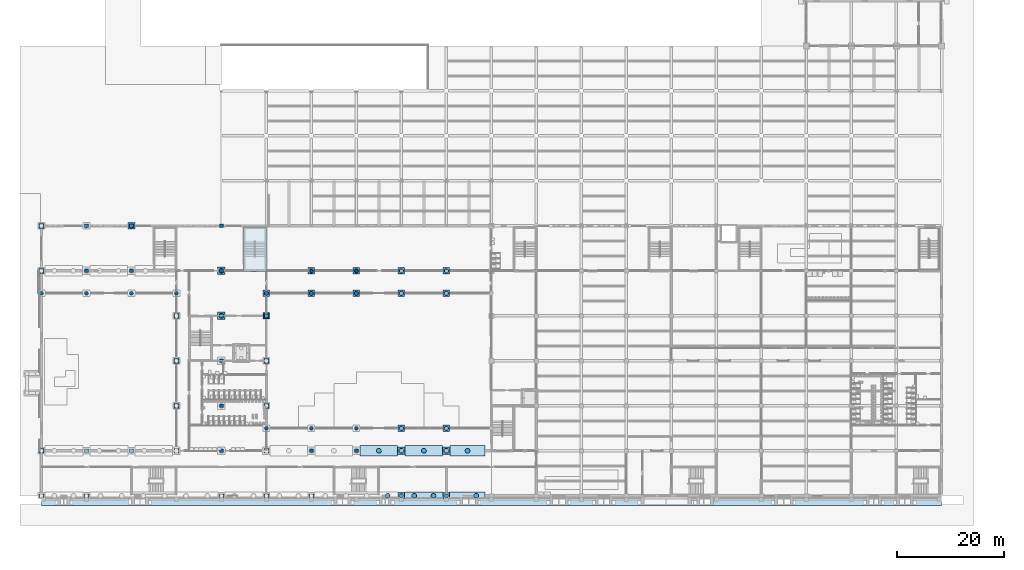
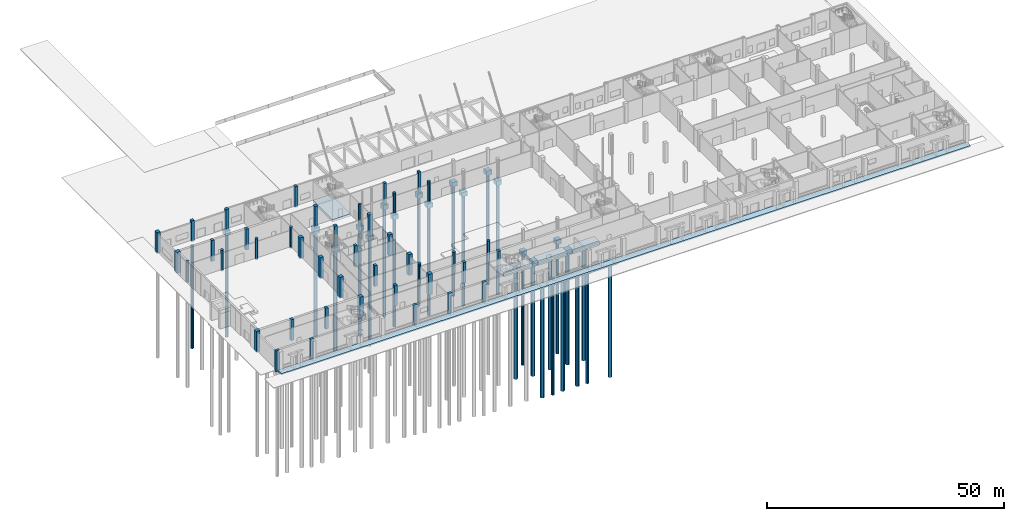
# One storey, part 2 of 74: 42 columns, 27 piles, 26 footings.
"""IFC4 building model written with IfcOpenShell, lengths in metres."""

from ifc_helpers import new_model, si_unit, direction, frame, origin, origin_2d, place, context, subcontext, project, spatial, polyline, rectangle, circle, outline, extrude, material, layer, layer_set, material_profile, profile_set, type_object, element, save


model = new_model("IFC4")

# Units and contexts
model_context = context("Model", 3, precision=1e-05, world=origin(), true_north=direction((0.0, 1.0)))
body_context = subcontext(model_context, "Body", "Model", "MODEL_VIEW")
ifc_project = project(units=[si_unit("LENGTHUNIT", "METRE"), si_unit("AREAUNIT", "SQUARE_METRE"), si_unit("VOLUMEUNIT", "CUBIC_METRE"), si_unit("PLANEANGLEUNIT", "RADIAN"), si_unit("MASSUNIT", "GRAM", prefix="KILO")], contexts=[model_context])

# Site, building, storey
site_placement = place(None, origin())
site = spatial("IfcSite", under=ifc_project, at=site_placement, CompositionType="ELEMENT")
building_placement = place(site_placement, origin())
building = spatial("IfcBuilding", under=site, at=building_placement, Name="Rulbaag Community and Learning Centre", CompositionType="ELEMENT")
storey_placement = place(building_placement, origin())
storey = spatial("IfcBuildingStorey", under=building, at=storey_placement, Name="L00", CompositionType="ELEMENT", Elevation=0.0)

# Footings
ifc_material_1 = material(Name="Concrete M40", Category="concrete")
ifc_layer_1 = layer(ifc_material_1, 0.300048828125)
ifc_layer_set_1 = layer_set([ifc_layer_1], Name="FT1 Rail-side strip footing 300 Concrete M40")
footing_type_1 = type_object("IfcFootingType", Name="FT1 Rail-side strip footing 300 Concrete M40", PredefinedType="STRIP_FOOTING", material=ifc_layer_set_1)
footing_1_placement = place(storey_placement, frame((0.0, 0.0, -0.300048828125)))
element("IfcFooting", 1, at=footing_1_placement, inside=storey, type_object=footing_type_1, Name="Rail-side strip footing", PredefinedType="STRIP_FOOTING", context=body_context, shape_type="SweptSolid", body=[
    extrude(outline(polyline([(0.0, -0.199951171875), (168.0, -0.199951171875), (168.0, -1.824951171875), (0.0, -1.824951171875), (0.0, -0.199951171875)])), origin(), (0.0, 0.0, 1.0), 0.300048828125),
])
ifc_material_2 = material(Name="Concrete M35", Category="concrete")
footing_type_2 = type_object("IfcFootingType", Name="GB1 Ground beam 1500 x 1000 Concrete M35", PredefinedType="FOOTING_BEAM", material=ifc_material_2)
footing_2_placement = place(storey_placement, frame((71.39990234375, 0.0, -1.300048828125), z_axis=(0.0, 0.0, 1.0), x_axis=(1.0, 0.0, 0.0)))
element("IfcFooting", 2, at=footing_2_placement, inside=storey, type_object=footing_type_2, Name="FT-GB-RAIL-6", PredefinedType="FOOTING_BEAM", context=body_context, shape_type="SweptSolid", body=[
    extrude(rectangle(XDim=7.14990234375, YDim=1.5, at=origin_2d()), origin(), (0.0, 0.0, 1.0), 1.0),
])
footing_3_placement = place(storey_placement, frame((79.512451171875, 0.0, -1.300048828125), z_axis=(0.0, 0.0, 1.0), x_axis=(1.0, 0.0, 0.0)))
element("IfcFooting", 3, at=footing_3_placement, inside=storey, type_object=footing_type_2, Name="FT-GB-RAIL-7", PredefinedType="FOOTING_BEAM", context=body_context, shape_type="SweptSolid", body=[
    extrude(rectangle(XDim=6.574951171875, YDim=1.5, at=origin_2d()), origin(), (0.0, 0.0, 1.0), 1.0),
])
footing_type_3 = type_object("IfcFootingType", Name="GB2 Ground beam 2000 x 1200 Concrete M35", PredefinedType="FOOTING_BEAM", material=ifc_material_2)
for number, where, z_axis, x_axis, name in (
    (4, (63.0, 8.39990234375, -1.5), (0.0, 0.0, 1.0), (1.0, 0.0, 0.0), "FT-GB-XMS-3"),
    (5, (71.39990234375, 8.39990234375, -1.5), (0.0, 0.0, 1.0), (1.0, 0.0, 0.0), "FT-GB-XMS-4"),
):
    element("IfcFooting", number, at=place(storey_placement, frame(where, z_axis=z_axis, x_axis=x_axis)), inside=storey, type_object=footing_type_3, Name=name, PredefinedType="FOOTING_BEAM", context=body_context, shape_type="SweptSolid", body=[
        extrude(rectangle(XDim=7.0, YDim=2.0, at=origin_2d()), origin(), (0.0, 0.0, 1.0), 1.199951171875),
    ])
footing_4_placement = place(storey_placement, frame((79.550048828125, 8.39990234375, -1.5), z_axis=(0.0, 0.0, 1.0), x_axis=(1.0, 0.0, 0.0)))
element("IfcFooting", 6, at=footing_4_placement, inside=storey, type_object=footing_type_3, Name="FT-GB-XMS-5", PredefinedType="FOOTING_BEAM", context=body_context, shape_type="SweptSolid", body=[
    extrude(rectangle(XDim=6.5, YDim=2.0, at=origin_2d()), origin(), (0.0, 0.0, 1.0), 1.199951171875),
])

# Piles
ifc_material_profile_1 = material_profile(ifc_material_2, circle(Radius=0.375, at=origin_2d()), Name="BP750")
ifc_profile_set_1 = profile_set([ifc_material_profile_1], Name="Concrete M35")
pile_type_1 = type_object("IfcPileType", Name="P1 Bored pile 750 mm Concrete M35", PredefinedType="BORED", material=ifc_profile_set_1)
for number, where, z_axis, x_axis, name in (
    (7, (8.39990234375, 50.39990234375, -1.39990234375), (0.0, 0.0, -1.0), (1.0, 0.0, 0.0), "PL-2G-1"),
    (8, (16.800048828125, 50.39990234375, -1.39990234375), (0.0, 0.0, -1.0), (1.0, 0.0, 0.0), "PL-3G-1"),
):
    element("IfcPile", number, at=place(storey_placement, frame(where, z_axis=z_axis, x_axis=x_axis)), inside=storey, type_object=pile_type_1, Name=name, PredefinedType="BORED", context=body_context, shape_type="SweptSolid", body=[
        extrude(circle(Radius=0.375, at=origin_2d()), origin(), (0.0, 0.0, 1.0), 26.5),
    ])
pile_1_placement = place(storey_placement, frame((42.0, 33.60009765625, -1.39990234375), z_axis=(0.0, 0.0, -1.0), x_axis=(1.0, 0.0, 0.0)))
element("IfcPile", 9, at=pile_1_placement, inside=storey, type_object=pile_type_1, Name="PL-6E-1", PredefinedType="BORED", context=body_context, shape_type="SweptSolid", body=[
    extrude(circle(Radius=0.375, at=origin_2d()), origin(), (0.0, 0.0, 1.0), 27.5),
])
for number, where, z_axis, x_axis, name in (
    (10, (50.39990234375, 42.0, -1.39990234375), (0.0, 0.0, -1.0), (1.0, 0.0, 0.0), "PL-7F-1"),
    (11, (58.800048828125, 42.0, -1.39990234375), (0.0, 0.0, -1.0), (1.0, 0.0, 0.0), "PL-8F-1"),
):
    element("IfcPile", number, at=place(storey_placement, frame(where, z_axis=z_axis, x_axis=x_axis)), inside=storey, type_object=pile_type_1, Name=name, PredefinedType="BORED", context=body_context, shape_type="SweptSolid", body=[
        extrude(circle(Radius=0.375, at=origin_2d()), origin(), (0.0, 0.0, 1.0), 28.0),
    ])
for number, where, z_axis, x_axis, name in (
    (12, (67.199951171875, 0.0, -1.39990234375), (0.0, 0.0, -1.0), (1.0, 0.0, 0.0), "PL-9A-1"),
    (13, (67.199951171875, 42.0, -1.39990234375), (0.0, 0.0, -1.0), (1.0, 0.0, 0.0), "PL-9F-1"),
    (14, (75.60009765625, 0.0, -1.39990234375), (0.0, 0.0, -1.0), (1.0, 0.0, 0.0), "PL-10A-1"),
    (15, (75.60009765625, 42.0, -1.39990234375), (0.0, 0.0, -1.0), (1.0, 0.0, 0.0), "PL-10F-1"),
):
    element("IfcPile", number, at=place(storey_placement, frame(where, z_axis=z_axis, x_axis=x_axis)), inside=storey, type_object=pile_type_1, Name=name, PredefinedType="BORED", context=body_context, shape_type="SweptSolid", body=[
        extrude(circle(Radius=0.375, at=origin_2d()), origin(), (0.0, 0.0, 1.0), 28.5),
    ])
pile_2_placement = place(storey_placement, frame((42.0, 37.800048828125, -1.39990234375), z_axis=(0.0, 0.0, -1.0), x_axis=(1.0, 0.0, 0.0)))
element("IfcPile", 16, at=pile_2_placement, inside=storey, type_object=pile_type_1, Name="PL-G42x37.8-1", PredefinedType="BORED", context=body_context, shape_type="SweptSolid", body=[
    extrude(circle(Radius=0.375, at=origin_2d()), origin(), (0.0, 0.0, 1.0), 27.5),
])
for number, where, z_axis, x_axis, name in (
    (17, (50.39990234375, 37.800048828125, -1.39990234375), (0.0, 0.0, -1.0), (1.0, 0.0, 0.0), "PL-G50x37.8-1"),
    (18, (58.800048828125, 37.800048828125, -1.39990234375), (0.0, 0.0, -1.0), (1.0, 0.0, 0.0), "PL-G59x37.8-1"),
):
    element("IfcPile", number, at=place(storey_placement, frame(where, z_axis=z_axis, x_axis=x_axis)), inside=storey, type_object=pile_type_1, Name=name, PredefinedType="BORED", context=body_context, shape_type="SweptSolid", body=[
        extrude(circle(Radius=0.375, at=origin_2d()), origin(), (0.0, 0.0, 1.0), 28.0),
    ])
for number, where, z_axis, x_axis, name in (
    (19, (67.199951171875, 12.60009765625, -1.39990234375), (0.0, 0.0, -1.0), (1.0, 0.0, 0.0), "PL-G67x12.6-1"),
    (20, (67.199951171875, 37.800048828125, -1.39990234375), (0.0, 0.0, -1.0), (1.0, 0.0, 0.0), "PL-G67x37.8-1"),
    (21, (75.60009765625, 12.60009765625, -1.39990234375), (0.0, 0.0, -1.0), (1.0, 0.0, 0.0), "PL-G76x12.6-1"),
    (22, (75.60009765625, 37.800048828125, -1.39990234375), (0.0, 0.0, -1.0), (1.0, 0.0, 0.0), "PL-G76x37.8-1"),
):
    element("IfcPile", number, at=place(storey_placement, frame(where, z_axis=z_axis, x_axis=x_axis)), inside=storey, type_object=pile_type_1, Name=name, PredefinedType="BORED", context=body_context, shape_type="SweptSolid", body=[
        extrude(circle(Radius=0.375, at=origin_2d()), origin(), (0.0, 0.0, 1.0), 28.5),
    ])
ifc_material_profile_2 = material_profile(ifc_material_2, circle(Radius=0.449951171875, at=origin_2d()), Name="BP900")
ifc_profile_set_2 = profile_set([ifc_material_profile_2], Name="Concrete M35")
pile_type_2 = type_object("IfcPileType", Name="P2 Bored pile 900 mm Concrete M35", PredefinedType="BORED", material=ifc_profile_set_2)
for number, where, z_axis, x_axis, name in (
    (23, (33.60009765625, 33.60009765625, -1.60009765625), (0.0, 0.0, -1.0), (1.0, 0.0, 0.0), "PL-5E-1"),
    (24, (33.60009765625, 42.0, -1.60009765625), (0.0, 0.0, -1.0), (1.0, 0.0, 0.0), "PL-5F-1"),
):
    element("IfcPile", number, at=place(storey_placement, frame(where, z_axis=z_axis, x_axis=x_axis)), inside=storey, type_object=pile_type_2, Name=name, PredefinedType="BORED", context=body_context, shape_type="SweptSolid", body=[
        extrude(circle(Radius=0.449951171875, at=origin_2d()), origin(), (0.0, 0.0, 1.0), 27.0),
    ])
for number, where, z_axis, x_axis, name in (
    (25, (67.199951171875, 8.39990234375, -1.60009765625), (0.0, 0.0, -1.0), (1.0, 0.0, 0.0), "PL-9B-1"),
    (26, (75.60009765625, 8.39990234375, -1.60009765625), (0.0, 0.0, -1.0), (1.0, 0.0, 0.0), "PL-10B-1"),
    (27, (64.631103515625, 0.0, -1.199951171875), (0.0, 0.0, -1.0), (1.0, 0.0, 0.0), "PL-GB-RAIL-5-4"),
    (28, (69.612548828125, 0.0, -1.199951171875), (0.0, 0.0, -1.0), (1.0, 0.0, 0.0), "PL-GB-RAIL-6-1"),
    (29, (73.1875, 0.0, -1.199951171875), (0.0, 0.0, -1.0), (1.0, 0.0, 0.0), "PL-GB-RAIL-6-2"),
):
    element("IfcPile", number, at=place(storey_placement, frame(where, z_axis=z_axis, x_axis=x_axis)), inside=storey, type_object=pile_type_2, Name=name, PredefinedType="BORED", context=body_context, shape_type="SweptSolid", body=[
        extrude(circle(Radius=0.449951171875, at=origin_2d()), origin(), (0.0, 0.0, 1.0), 28.5),
    ])
pile_3_placement = place(storey_placement, frame((81.15625, 0.0, -1.199951171875), z_axis=(0.0, 0.0, -1.0), x_axis=(1.0, 0.0, 0.0)))
element("IfcPile", 30, at=pile_3_placement, inside=storey, type_object=pile_type_2, Name="PL-GB-RAIL-7-2", PredefinedType="BORED", context=body_context, shape_type="SweptSolid", body=[
    extrude(circle(Radius=0.449951171875, at=origin_2d()), origin(), (0.0, 0.0, 1.0), 29.0),
])
pile_4_placement = place(storey_placement, frame((63.0, 8.39990234375, -1.39990234375), z_axis=(0.0, 0.0, -1.0), x_axis=(1.0, 0.0, 0.0)))
element("IfcPile", 31, at=pile_4_placement, inside=storey, type_object=pile_type_2, Name="PL-GB-XMS-3-2", PredefinedType="BORED", context=body_context, shape_type="SweptSolid", body=[
    extrude(circle(Radius=0.449951171875, at=origin_2d()), origin(), (0.0, 0.0, 1.0), 28.0),
])
pile_5_placement = place(storey_placement, frame((71.39990234375, 8.39990234375, -1.39990234375), z_axis=(0.0, 0.0, -1.0), x_axis=(1.0, 0.0, 0.0)))
element("IfcPile", 32, at=pile_5_placement, inside=storey, type_object=pile_type_2, Name="PL-GB-XMS-4-2", PredefinedType="BORED", context=body_context, shape_type="SweptSolid", body=[
    extrude(circle(Radius=0.449951171875, at=origin_2d()), origin(), (0.0, 0.0, 1.0), 28.5),
])
pile_6_placement = place(storey_placement, frame((79.550048828125, 8.39990234375, -1.39990234375), z_axis=(0.0, 0.0, -1.0), x_axis=(1.0, 0.0, 0.0)))
element("IfcPile", 33, at=pile_6_placement, inside=storey, type_object=pile_type_2, Name="PL-GB-XMS-5-2", PredefinedType="BORED", context=body_context, shape_type="SweptSolid", body=[
    extrude(circle(Radius=0.449951171875, at=origin_2d()), origin(), (0.0, 0.0, 1.0), 29.0),
])

# Footings
footing_type_4 = type_object("IfcFootingType", Name="PC1 Pile cap 1 pile 1250 x 1250 x 1200 Concrete M35", PredefinedType="PILE_CAP", material=ifc_material_2)
for number, where, z_axis, x_axis, name in (
    (34, (16.800048828125, 50.39990234375, -1.5), (0.0, 0.0, 1.0), (1.0, 0.0, 0.0), "FT-3G"),
    (35, (42.0, 33.60009765625, -1.5), (0.0, 0.0, 1.0), (1.0, 0.0, 0.0), "FT-6E"),
    (36, (50.39990234375, 42.0, -1.5), (0.0, 0.0, 1.0), (1.0, 0.0, 0.0), "FT-7F"),
    (37, (58.800048828125, 42.0, -1.5), (0.0, 0.0, 1.0), (1.0, 0.0, 0.0), "FT-8F"),
    (38, (67.199951171875, 0.0, -1.5), (0.0, 0.0, 1.0), (1.0, 0.0, 0.0), "FT-9A"),
    (39, (67.199951171875, 42.0, -1.5), (0.0, 0.0, 1.0), (1.0, 0.0, 0.0), "FT-9F"),
    (40, (75.60009765625, 0.0, -1.5), (0.0, 0.0, 1.0), (1.0, 0.0, 0.0), "FT-10A"),
    (41, (75.60009765625, 42.0, -1.5), (0.0, 0.0, 1.0), (1.0, 0.0, 0.0), "FT-10F"),
    (42, (42.0, 37.800048828125, -1.5), (0.0, 0.0, 1.0), (1.0, 0.0, 0.0), "FT-G42x37.8"),
    (43, (50.39990234375, 37.800048828125, -1.5), (0.0, 0.0, 1.0), (1.0, 0.0, 0.0), "FT-G50x37.8"),
    (44, (58.800048828125, 37.800048828125, -1.5), (0.0, 0.0, 1.0), (1.0, 0.0, 0.0), "FT-G59x37.8"),
    (45, (67.199951171875, 12.60009765625, -1.5), (0.0, 0.0, 1.0), (1.0, 0.0, 0.0), "FT-G67x12.6"),
    (46, (67.199951171875, 37.800048828125, -1.5), (0.0, 0.0, 1.0), (1.0, 0.0, 0.0), "FT-G67x37.8"),
    (47, (75.60009765625, 12.60009765625, -1.5), (0.0, 0.0, 1.0), (1.0, 0.0, 0.0), "FT-G76x12.6"),
    (48, (75.60009765625, 37.800048828125, -1.5), (0.0, 0.0, 1.0), (1.0, 0.0, 0.0), "FT-G76x37.8"),
):
    element("IfcFooting", number, at=place(storey_placement, frame(where, z_axis=z_axis, x_axis=x_axis)), inside=storey, type_object=footing_type_4, Name=name, PredefinedType="PILE_CAP", context=body_context, shape_type="SweptSolid", body=[
        extrude(rectangle(XDim=1.25, YDim=1.25, at=origin_2d()), origin(), (0.0, 0.0, 1.0), 1.199951171875),
    ])
footing_type_5 = type_object("IfcFootingType", Name="PC2 Pile cap 1 pile 1400 x 1400 x 1400 Concrete M35", PredefinedType="PILE_CAP", material=ifc_material_2)
for number, where, z_axis, x_axis, name in (
    (49, (33.60009765625, 33.60009765625, -1.699951171875), (0.0, 0.0, 1.0), (1.0, 0.0, 0.0), "FT-5E"),
    (50, (33.60009765625, 42.0, -1.699951171875), (0.0, 0.0, 1.0), (1.0, 0.0, 0.0), "FT-5F"),
    (51, (67.199951171875, 8.39990234375, -1.699951171875), (0.0, 0.0, 1.0), (1.0, 0.0, 0.0), "FT-9B"),
    (52, (75.60009765625, 8.39990234375, -1.699951171875), (0.0, 0.0, 1.0), (1.0, 0.0, 0.0), "FT-10B"),
):
    element("IfcFooting", number, at=place(storey_placement, frame(where, z_axis=z_axis, x_axis=x_axis)), inside=storey, type_object=footing_type_5, Name=name, PredefinedType="PILE_CAP", context=body_context, shape_type="SweptSolid", body=[
        extrude(rectangle(XDim=1.39990234375, YDim=1.39990234375, at=origin_2d()), origin(), (0.0, 0.0, 1.0), 1.39990234375),
    ])
ifc_layer_2 = layer(ifc_material_2, 0.60009765625)
ifc_layer_set_2 = layer_set([ifc_layer_2], Name="PCS Stair base slab 600 Concrete M35")
footing_type_6 = type_object("IfcFootingType", Name="PCS Stair base slab 600 Concrete M35", PredefinedType="PAD_FOOTING", material=ifc_layer_set_2)
footing_5_placement = place(storey_placement, frame((0.0, 0.0, -0.60009765625)))
element("IfcFooting", 53, at=footing_5_placement, inside=storey, type_object=footing_type_6, Name="Stair base slab SH5", PredefinedType="PAD_FOOTING", context=body_context, shape_type="SweptSolid", body=[
    extrude(outline(polyline([(37.699951171875, 41.89990234375), (42.10009765625, 41.89990234375), (42.10009765625, 50.22509765625), (37.699951171875, 50.22509765625), (37.699951171875, 41.89990234375)])), origin(), (0.0, 0.0, 1.0), 0.60009765625),
])

# Columns
ifc_material_profile_3 = material_profile(ifc_material_1, rectangle(XDim=0.89990234375, YDim=0.60009765625, at=origin_2d()), Name="RC900x600")
ifc_profile_set_3 = profile_set([ifc_material_profile_3], Name="Concrete M40")
column_type_1 = type_object("IfcColumnType", Name="C1 Pilaster 900x600 Concrete M40", PredefinedType="PILASTER", material=ifc_profile_set_3)
for number, where, z_axis, x_axis, name in (
    (54, (0.0, 0.0, -0.300048828125), (0.0, 0.0, 1.0), (1.0, 0.0, 0.0), "COL-1A-L00"),
    (55, (8.39990234375, 0.0, -0.300048828125), (0.0, 0.0, 1.0), (1.0, 0.0, 0.0), "COL-2A-L00"),
    (56, (33.60009765625, 0.0, -0.300048828125), (0.0, 0.0, 1.0), (1.0, 0.0, 0.0), "COL-5A-L00"),
    (57, (42.0, 0.0, -0.300048828125), (0.0, 0.0, 1.0), (1.0, 0.0, 0.0), "COL-6A-L00"),
    (58, (50.39990234375, 0.0, -0.300048828125), (0.0, 0.0, 1.0), (1.0, 0.0, 0.0), "COL-7A-L00"),
):
    element("IfcColumn", number, at=place(storey_placement, frame(where, z_axis=z_axis, x_axis=x_axis)), inside=storey, type_object=column_type_1, Name=name, PredefinedType="PILASTER", context=body_context, shape_type="SweptSolid", body=[
        extrude(rectangle(XDim=0.89990234375, YDim=0.60009765625, at=origin_2d()), origin(), (0.0, 0.0, 1.0), 5.400146484375),
    ])
ifc_material_profile_4 = material_profile(ifc_material_1, circle(Radius=0.35009765625, at=origin_2d()), Name="RD700")
ifc_profile_set_4 = profile_set([ifc_material_profile_4], Name="Concrete M40")
column_type_2 = type_object("IfcColumnType", Name="C11 Circular column 700 Concrete M40", PredefinedType="COLUMN", material=ifc_profile_set_4)
for number, where, z_axis, x_axis, name in (
    (59, (42.0, 12.60009765625, -0.300048828125), (0.0, 0.0, 1.0), (1.0, 0.0, 0.0), "COL-G42x12.6-L00"),
    (60, (42.0, 37.800048828125, -0.300048828125), (0.0, 0.0, 1.0), (1.0, 0.0, 0.0), "COL-G42x37.8-L00"),
    (61, (50.39990234375, 12.60009765625, -0.300048828125), (0.0, 0.0, 1.0), (1.0, 0.0, 0.0), "COL-G50x12.6-L00"),
    (62, (50.39990234375, 37.800048828125, -0.300048828125), (0.0, 0.0, 1.0), (1.0, 0.0, 0.0), "COL-G50x37.8-L00"),
    (63, (58.800048828125, 12.60009765625, -0.300048828125), (0.0, 0.0, 1.0), (1.0, 0.0, 0.0), "COL-G59x12.6-L00"),
    (64, (58.800048828125, 37.800048828125, -0.300048828125), (0.0, 0.0, 1.0), (1.0, 0.0, 0.0), "COL-G59x37.8-L00"),
    (65, (0.0, 37.800048828125, -0.300048828125), (0.0, 0.0, 1.0), (1.0, 0.0, 0.0), "COL-G0x37.8-L00"),
    (66, (8.39990234375, 37.800048828125, -0.300048828125), (0.0, 0.0, 1.0), (1.0, 0.0, 0.0), "COL-G8x37.8-L00"),
    (67, (16.800048828125, 37.800048828125, -0.300048828125), (0.0, 0.0, 1.0), (1.0, 0.0, 0.0), "COL-G17x37.8-L00"),
    (68, (25.199951171875, 37.800048828125, -0.300048828125), (0.0, 0.0, 1.0), (1.0, 0.0, 0.0), "COL-G25x37.8-L00"),
):
    element("IfcColumn", number, at=place(storey_placement, frame(where, z_axis=z_axis, x_axis=x_axis)), inside=storey, type_object=column_type_2, Name=name, PredefinedType="COLUMN", context=body_context, shape_type="SweptSolid", body=[
        extrude(circle(Radius=0.35009765625, at=origin_2d()), origin(), (0.0, 0.0, 1.0), 5.400146484375),
    ])
ifc_material_3 = material(Name="Concrete M60", Category="concrete")
ifc_material_profile_5 = material_profile(ifc_material_3, rectangle(XDim=0.89990234375, YDim=0.89990234375, at=origin_2d()), Name="RC900x900")
ifc_profile_set_5 = profile_set([ifc_material_profile_5], Name="Concrete M60")
column_type_3 = type_object("IfcColumnType", Name="C2 Column 900x900 Concrete M60", PredefinedType="COLUMN", material=ifc_profile_set_5)
for number, where, z_axis, x_axis, name in (
    (69, (0.0, 8.39990234375, -0.300048828125), (0.0, 0.0, 1.0), (1.0, 0.0, 0.0), "COL-1B-L00"),
    (70, (0.0, 42.0, -0.300048828125), (0.0, 0.0, 1.0), (1.0, 0.0, 0.0), "COL-1F-L00"),
    (71, (0.0, 50.39990234375, -0.300048828125), (0.0, 0.0, 1.0), (1.0, 0.0, 0.0), "COL-1G-L00"),
    (72, (25.199951171875, 8.39990234375, -0.300048828125), (0.0, 0.0, 1.0), (1.0, 0.0, 0.0), "COL-4B-L00"),
    (73, (25.199951171875, 16.800048828125, -0.300048828125), (0.0, 0.0, 1.0), (1.0, 0.0, 0.0), "COL-4C-L00"),
    (74, (25.199951171875, 25.199951171875, -0.300048828125), (0.0, 0.0, 1.0), (1.0, 0.0, 0.0), "COL-4D-L00"),
    (75, (25.199951171875, 33.60009765625, -0.300048828125), (0.0, 0.0, 1.0), (1.0, 0.0, 0.0), "COL-4E-L00"),
    (76, (42.0, 8.39990234375, -0.300048828125), (0.0, 0.0, 1.0), (1.0, 0.0, 0.0), "COL-6B-L00"),
    (77, (42.0, 16.800048828125, -0.300048828125), (0.0, 0.0, 1.0), (1.0, 0.0, 0.0), "COL-6C-L00"),
    (78, (42.0, 25.199951171875, -0.300048828125), (0.0, 0.0, 1.0), (1.0, 0.0, 0.0), "COL-6D-L00"),
    (79, (42.0, 33.60009765625, -0.300048828125), (0.0, 0.0, 1.0), (1.0, 0.0, 0.0), "COL-6E-L00"),
):
    element("IfcColumn", number, at=place(storey_placement, frame(where, z_axis=z_axis, x_axis=x_axis)), inside=storey, type_object=column_type_3, Name=name, PredefinedType="COLUMN", context=body_context, shape_type="SweptSolid", body=[
        extrude(rectangle(XDim=0.89990234375, YDim=0.89990234375, at=origin_2d()), origin(), (0.0, 0.0, 1.0), 5.400146484375),
    ])
ifc_material_profile_6 = material_profile(ifc_material_1, rectangle(XDim=0.699951171875, YDim=0.699951171875, at=origin_2d()), Name="RC700x700")
ifc_profile_set_6 = profile_set([ifc_material_profile_6], Name="Concrete M40")
column_type_4 = type_object("IfcColumnType", Name="C5 Column 700x700 Concrete M40", PredefinedType="COLUMN", material=ifc_profile_set_6)
for number, where, z_axis, x_axis, name in (
    (80, (8.39990234375, 8.39990234375, -0.300048828125), (0.0, 0.0, 1.0), (1.0, 0.0, 0.0), "COL-2B-L00"),
    (81, (8.39990234375, 42.0, -0.300048828125), (0.0, 0.0, 1.0), (1.0, 0.0, 0.0), "COL-2F-L00"),
    (82, (8.39990234375, 50.39990234375, -0.300048828125), (0.0, 0.0, 1.0), (1.0, 0.0, 0.0), "COL-2G-L00"),
    (83, (16.800048828125, 8.39990234375, -0.300048828125), (0.0, 0.0, 1.0), (1.0, 0.0, 0.0), "COL-3B-L00"),
    (84, (16.800048828125, 42.0, -0.300048828125), (0.0, 0.0, 1.0), (1.0, 0.0, 0.0), "COL-3F-L00"),
    (85, (16.800048828125, 50.39990234375, -0.300048828125), (0.0, 0.0, 1.0), (1.0, 0.0, 0.0), "COL-3G-L00"),
    (86, (33.60009765625, 8.39990234375, -0.300048828125), (0.0, 0.0, 1.0), (1.0, 0.0, 0.0), "COL-5B-L00"),
    (87, (33.60009765625, 16.800048828125, -0.300048828125), (0.0, 0.0, 1.0), (1.0, 0.0, 0.0), "COL-5C-L00"),
    (88, (33.60009765625, 25.199951171875, -0.300048828125), (0.0, 0.0, 1.0), (1.0, 0.0, 0.0), "COL-5D-L00"),
    (89, (33.60009765625, 33.60009765625, -0.300048828125), (0.0, 0.0, 1.0), (1.0, 0.0, 0.0), "COL-5E-L00"),
    (90, (33.60009765625, 42.0, -0.300048828125), (0.0, 0.0, 1.0), (1.0, 0.0, 0.0), "COL-5F-L00"),
    (91, (33.60009765625, 50.39990234375, -0.300048828125), (0.0, 0.0, 1.0), (1.0, 0.0, 0.0), "COL-5G-L00"),
    (92, (50.39990234375, 8.39990234375, -0.300048828125), (0.0, 0.0, 1.0), (1.0, 0.0, 0.0), "COL-7B-L00"),
    (93, (58.800048828125, 8.39990234375, -0.300048828125), (0.0, 0.0, 1.0), (1.0, 0.0, 0.0), "COL-8B-L00"),
):
    element("IfcColumn", number, at=place(storey_placement, frame(where, z_axis=z_axis, x_axis=x_axis)), inside=storey, type_object=column_type_4, Name=name, PredefinedType="COLUMN", context=body_context, shape_type="SweptSolid", body=[
        extrude(rectangle(XDim=0.699951171875, YDim=0.699951171875, at=origin_2d()), origin(), (0.0, 0.0, 1.0), 5.400146484375),
    ])
ifc_material_profile_7 = material_profile(ifc_material_1, rectangle(XDim=0.60009765625, YDim=0.60009765625, at=origin_2d()), Name="RC600x600")
ifc_profile_set_7 = profile_set([ifc_material_profile_7], Name="Concrete M40")
column_type_5 = type_object("IfcColumnType", Name="C7 Column 600x600 Concrete M40", PredefinedType="COLUMN", material=ifc_profile_set_7)
for number, where, z_axis, x_axis, name in (
    (94, (50.39990234375, 42.0, -0.300048828125), (0.0, 0.0, 1.0), (1.0, 0.0, 0.0), "COL-7F-L00"),
    (95, (58.800048828125, 42.0, -0.300048828125), (0.0, 0.0, 1.0), (1.0, 0.0, 0.0), "COL-8F-L00"),
):
    element("IfcColumn", number, at=place(storey_placement, frame(where, z_axis=z_axis, x_axis=x_axis)), inside=storey, type_object=column_type_5, Name=name, PredefinedType="COLUMN", context=body_context, shape_type="SweptSolid", body=[
        extrude(rectangle(XDim=0.60009765625, YDim=0.60009765625, at=origin_2d()), origin(), (0.0, 0.0, 1.0), 5.400146484375),
    ])

save(model, "model.ifc")
